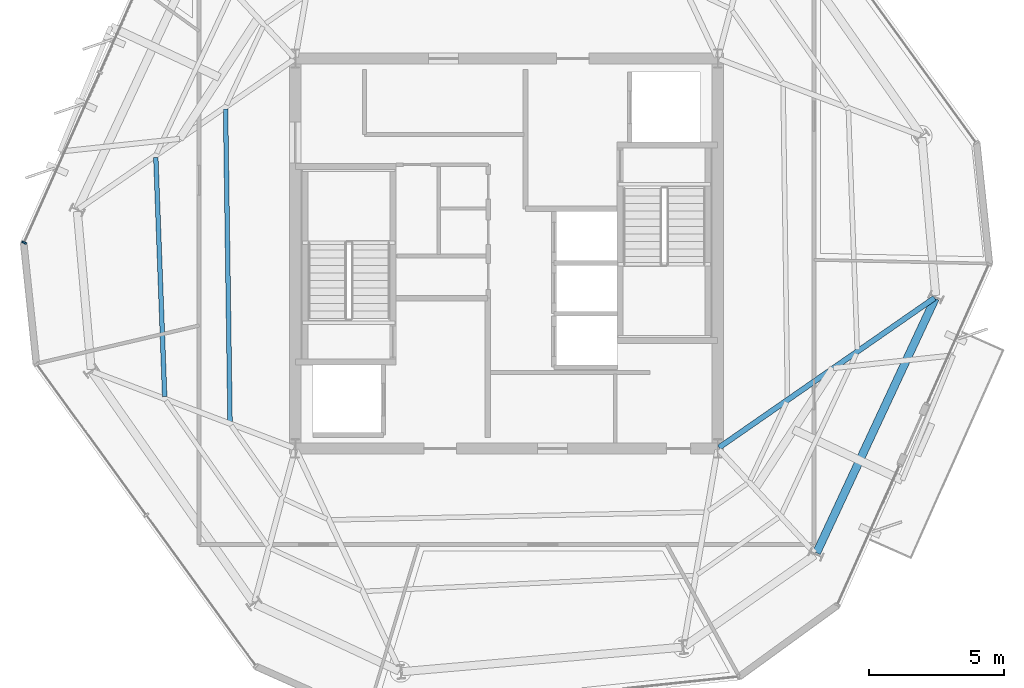
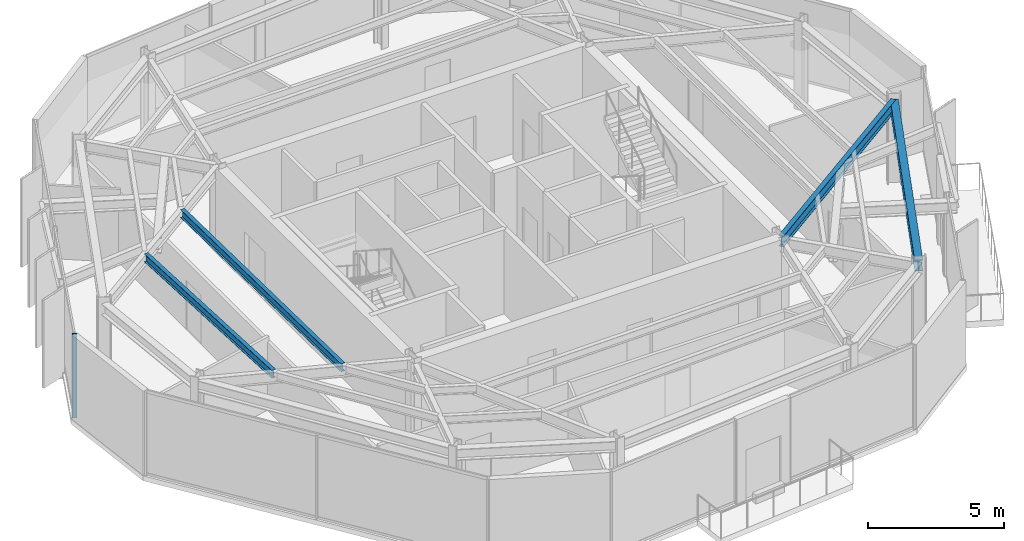
# One storey, part 3 of 11: 4 beams, 1 member, 1 element without a shape of its own.
"""IFC4 building model written with IfcOpenShell, lengths in metres."""

from ifc_helpers import new_model, si_unit, direction, frame, origin, origin_2d, place, context, subcontext, project, spatial, rectangle, i_section, extrude, material, layer, layer_set, material_profile, profile_set, type_object, element, aggregate, save


model = new_model("IFC4")

# Units and contexts
model_context = context("Model", 3, precision=1e-05, world=origin(), true_north=direction((0.0, 1.0)))
body_context = subcontext(model_context, "Body", "Model", "MODEL_VIEW")
ifc_project = project(units=[si_unit("LENGTHUNIT", "METRE"), si_unit("AREAUNIT", "SQUARE_METRE"), si_unit("VOLUMEUNIT", "CUBIC_METRE"), si_unit("PLANEANGLEUNIT", "RADIAN"), si_unit("MASSUNIT", "GRAM", prefix="KILO")], contexts=[model_context])

# Site, building, storey
site_placement = place(None, origin())
site = spatial("IfcSite", under=ifc_project, at=site_placement, CompositionType="ELEMENT")
building_placement = place(site_placement, origin())
building = spatial("IfcBuilding", under=site, at=building_placement, Name="Kranzbogen Civic Tower", CompositionType="ELEMENT")
storey_placement = place(building_placement, frame((0.0, 0.0, 290.199951171875)))
storey = spatial("IfcBuildingStorey", under=building, at=storey_placement, Name="L70", CompositionType="ELEMENT", Elevation=290.199951171875)

# Curtain wall, member
ifc_material_1 = material(Name="Pale Anodised Aluminium", Category="aluminium")
ifc_layer = layer(ifc_material_1, 0.219970703125, Name="Pale Anodised Aluminium")
ifc_layer_set = layer_set([ifc_layer], Name="Pale Anodised Aluminium")
curtain_wall_type = type_object("IfcCurtainWallType", Name="Zone 4 Stick Curtain Wall System CW-05", PredefinedType="USERDEFINED", material=ifc_layer_set)
curtain_wall_placement = place(storey_placement, origin())
curtain_wall = element("IfcCurtainWall", 1, at=curtain_wall_placement, inside=storey, type_object=curtain_wall_type, Name="L70 curtain wall CW-L70-F2", ObjectType="STICK CURTAIN WALL", PredefinedType="USERDEFINED")
ifc_material_profile_1 = material_profile(ifc_material_1, rectangle(XDim=0.06494140625, YDim=0.179931640625, at=origin_2d()), Name="ALU-M 65x180")
ifc_profile_set_1 = profile_set([ifc_material_profile_1], Name="Pale Anodised Aluminium")
member_type = type_object("IfcMemberType", Name="Curtain Wall Mullion ALU-M 65x180", PredefinedType="MULLION", material=ifc_profile_set_1)
member_placement = place(storey_placement, frame((7.18408203125, 25.3984375, 0.0), z_axis=(0.0, 0.0, 1.0), x_axis=(-0.406722258153, -0.913551862087, 0.0)))
member = element("IfcMember", 2, at=member_placement, type_object=member_type, Name="CW-05 mullion 3", PredefinedType="MULLION", context=body_context, shape_type="SweptSolid", body=[
    extrude(rectangle(XDim=0.06494140625, YDim=0.179931640625, at=origin_2d()), origin(), (0.0, 0.0, 1.0), 3.780029296875),
])
aggregate(curtain_wall, [member])

# Beams
ifc_material_2 = material(Name="Steel S355", Category="steel")
ifc_material_profile_2 = material_profile(ifc_material_2, i_section(OverallWidth=0.300048828125, OverallDepth=0.5, WebThickness=0.014404296875, FlangeThickness=0.028076171875, at=origin_2d()), Name="HEB 500")
ifc_profile_set_2 = profile_set([ifc_material_profile_2], Name="Steel S355")
beam_type_1 = type_object("IfcBeamType", Name="Perimeter Tube Spandrel Beam HEB 500", PredefinedType="SPANDREL", material=ifc_profile_set_2)
beam_1_placement = place(storey_placement, frame((36.449951171875, 13.944091796875, 3.530029296875), z_axis=(0.422668780888, 0.906284227857, 0.0), x_axis=(-0.906284227857, 0.422668780888, 0.0)))
element("IfcBeam", 3, at=beam_1_placement, inside=storey, type_object=beam_type_1, Name="L70 perimeter spandrel beam 05", PredefinedType="SPANDREL", context=body_context, shape_type="SweptSolid", body=[
    extrude(i_section(OverallWidth=0.300048828125, OverallDepth=0.5, WebThickness=0.014404296875, FlangeThickness=0.028076171875, at=origin_2d()), origin(), (0.0, 0.0, 1.0), 10.363037109375),
])
ifc_material_profile_3 = material_profile(ifc_material_2, i_section(OverallWidth=0.199951171875, OverallDepth=0.5, WebThickness=0.01025390625, FlangeThickness=0.01611328125, at=origin_2d()), Name="IPE 500")
ifc_profile_set_3 = profile_set([ifc_material_profile_3], Name="Steel S355")
beam_type_2 = type_object("IfcBeamType", Name="Radial Tower Floor Girder IPE 500", PredefinedType="BEAM", material=ifc_profile_set_3)
beam_2_placement = place(storey_placement, frame((40.805908203125, 23.35595703125, 3.530029296875), z_axis=(-0.821542812331, -0.570146829779, 0.0), x_axis=(0.570146829779, -0.821542812331, 0.0)))
element("IfcBeam", 4, at=beam_2_placement, inside=storey, type_object=beam_type_2, Name="L70 radial floor girder 06", PredefinedType="BEAM", context=body_context, shape_type="SweptSolid", body=[
    extrude(i_section(OverallWidth=0.199951171875, OverallDepth=0.5, WebThickness=0.01025390625, FlangeThickness=0.01611328125, at=origin_2d()), origin(), (0.0, 0.0, 1.0), 9.68505859375),
])
ifc_material_profile_4 = material_profile(ifc_material_2, i_section(OverallWidth=0.169921875, OverallDepth=0.360107421875, WebThickness=0.008056640625, FlangeThickness=0.0126953125, at=origin_2d()), Name="IPE 360")
ifc_profile_set_4 = profile_set([ifc_material_profile_4], Name="Steel S355")
beam_type_3 = type_object("IfcBeamType", Name="Secondary Composite Floor Joist IPE 360", PredefinedType="JOIST", material=ifc_profile_set_4)
beam_3_placement = place(storey_placement, frame((12.048095703125, 28.5419921875, 3.60009765625), z_axis=(0.036992246074, -0.999315552631, 0.0), x_axis=(0.999315552631, 0.036992246074, 0.0)))
element("IfcBeam", 5, at=beam_3_placement, inside=storey, type_object=beam_type_3, Name="L70 secondary floor joist 1.12", PredefinedType="JOIST", context=body_context, shape_type="SweptSolid", body=[
    extrude(i_section(OverallWidth=0.169921875, OverallDepth=0.360107421875, WebThickness=0.008056640625, FlangeThickness=0.0126953125, at=origin_2d()), origin(), (0.0, 0.0, 1.0), 8.837158203125),
])
beam_4_placement = place(storey_placement, frame((14.6240234375, 30.3310546875, 3.60009765625), z_axis=(0.014221385906, -0.999898870978, 0.0), x_axis=(0.999898870978, 0.014221385906, 0.0)))
element("IfcBeam", 6, at=beam_4_placement, inside=storey, type_object=beam_type_3, Name="L70 secondary floor joist 2.12", PredefinedType="JOIST", context=body_context, shape_type="SweptSolid", body=[
    extrude(i_section(OverallWidth=0.169921875, OverallDepth=0.360107421875, WebThickness=0.008056640625, FlangeThickness=0.0126953125, at=origin_2d()), origin(), (0.0, 0.0, 1.0), 11.536376953125),
])

save(model, "model.ifc")
